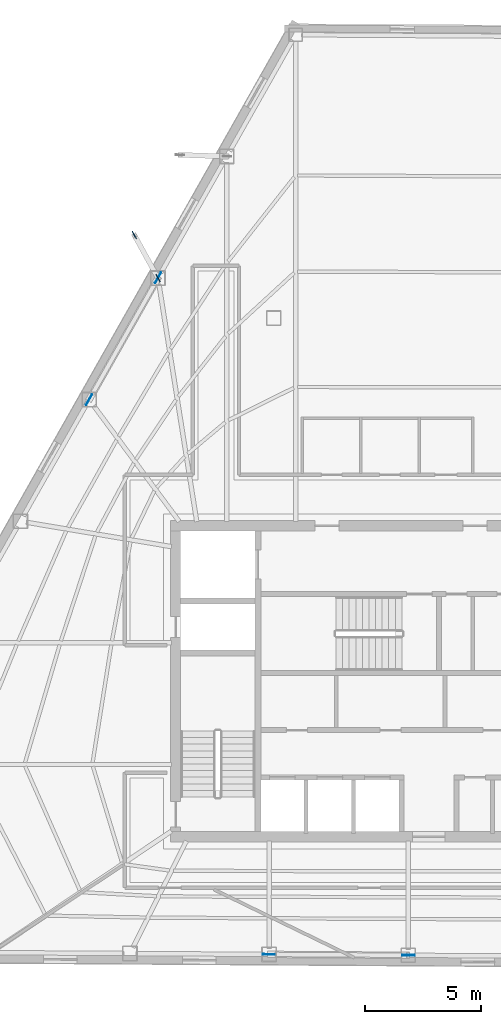
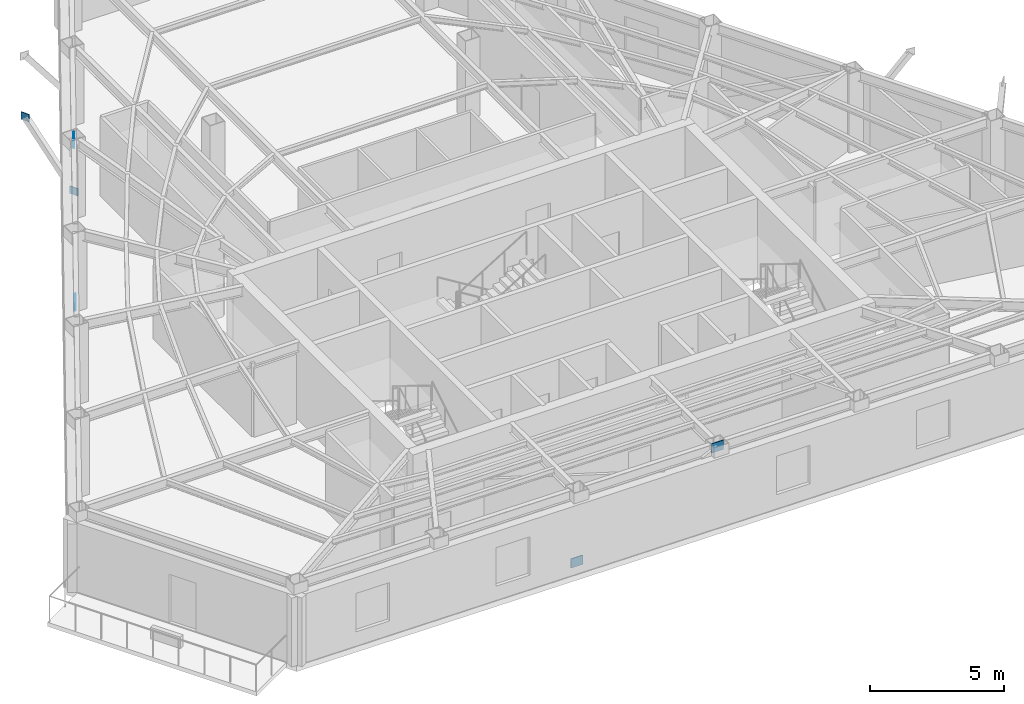
# One storey, part 4 of 11: 6 plates.
"""IFC4 building model written with IfcOpenShell, lengths in metres."""

import ifcopenshell
import ifcopenshell.guid

model = None  # the IFC model being written
_history = None  # IfcOwnerHistory: only IFC2X3 demands one
_inside = {}  # id of a spatial element -> (the spatial element, [elements in it])
_under = {}  # id of a project, library or spatial element -> (it, [spatial elements below it])
_declared = {}  # id of a project -> (the project, [libraries it declares])
_typed = {}  # id of a type object -> (the type object, [elements of that type])
_made_of = {}  # id of a material, layer set ... -> (it, [elements and type objects made of it])


def new_model(schema):
    """Start an empty IFC model of exactly this schema.

    Asked for "IFC4X3", IfcOpenShell would pick the latest addendum, in which some entities
    have other attributes; the version numbers below select the first issue.
    IFC2X3 requires an IfcOwnerHistory on every rooted entity: one is made here for all.
    """
    global model, _history
    if schema == "IFC4X3":
        model = ifcopenshell.file(schema_version=(4, 3, 0, 0))
    else:
        model = ifcopenshell.file(schema=schema)
    _inside.clear()
    _under.clear()
    _declared.clear()
    _typed.clear()
    _made_of.clear()
    _history = None
    if model.schema == "IFC2X3":
        org = make("IfcOrganization", Name="unknown")
        user = make(
            "IfcPersonAndOrganization",
            ThePerson=make("IfcPerson", FamilyName="unknown"),
            TheOrganization=org,
        )
        app = make(
            "IfcApplication",
            ApplicationDeveloper=org,
            Version="unknown",
            ApplicationFullName="unknown",
            ApplicationIdentifier="unknown",
        )
        _history = make(
            "IfcOwnerHistory",
            OwningUser=user,
            OwningApplication=app,
            ChangeAction="ADDED",
            CreationDate=0,
        )
    return model


def make(cls, **values):
    """One entity of the class cls with the attributes given. An attribute that is None is left unset."""
    return model.create_entity(
        cls, **{name: value for name, value in values.items() if value is not None}
    )


def rooted(cls, **values):
    """An entity with a GlobalId (a new one), such as an element, a storey or a relation."""
    return make(cls, GlobalId=ifcopenshell.guid.new(), OwnerHistory=_history, **values)


def si_unit(unit_type, name, prefix=None):
    """IfcSIUnit, for example si_unit("LENGTHUNIT", "METRE", prefix="MILLI")."""
    return make("IfcSIUnit", UnitType=unit_type, Prefix=prefix, Name=name)


def assignment(units):
    """IfcUnitAssignment: the units of a project."""
    return None if units is None else make("IfcUnitAssignment", Units=units)


def point(xyz):
    """IfcCartesianPoint."""
    return None if xyz is None else make("IfcCartesianPoint", Coordinates=xyz)


def direction(xyz):
    """IfcDirection."""
    return None if xyz is None else make("IfcDirection", DirectionRatios=xyz)


def frame(location, z_axis=None, x_axis=None):
    """IfcAxis2Placement3D, a coordinate frame: its origin and axes. An axis left out is left unset."""
    return make(
        "IfcAxis2Placement3D",
        Location=point(location),
        Axis=direction(z_axis),
        RefDirection=direction(x_axis),
    )


def frame_2d(location, x_axis=None):
    """IfcAxis2Placement2D, a coordinate frame in the plane: its origin and x axis."""
    return make(
        "IfcAxis2Placement2D", Location=point(location), RefDirection=direction(x_axis)
    )


def origin():
    """The frame at (0, 0, 0) with its axes left unset."""
    return frame((0.0, 0.0, 0.0))


def origin_2d():
    """The frame at (0, 0) in the plane with its x axis left unset."""
    return frame_2d((0.0, 0.0))


def place(relative_to, where):
    """IfcLocalPlacement: puts the frame where relative to a parent placement (None: the world)."""
    return make(
        "IfcLocalPlacement", PlacementRelTo=relative_to, RelativePlacement=where
    )


def context(
    kind, dimensions, precision=None, world=None, true_north=None, identifier=None
):
    """IfcGeometricRepresentationContext, for example the 3D "Model" context."""
    return make(
        "IfcGeometricRepresentationContext",
        ContextIdentifier=identifier,
        ContextType=kind,
        CoordinateSpaceDimension=dimensions,
        Precision=precision,
        WorldCoordinateSystem=world,
        TrueNorth=true_north,
    )


def subcontext(parent, identifier, kind, view, scale=None):
    """IfcGeometricRepresentationSubContext, for example "Body" below "Model"."""
    return make(
        "IfcGeometricRepresentationSubContext",
        ContextIdentifier=identifier,
        ContextType=kind,
        ParentContext=parent,
        TargetScale=scale,
        TargetView=view,
    )


def project(units=None, contexts=None):
    """IfcProject with its units and contexts."""
    return rooted(
        "IfcProject",
        Name="project",
        RepresentationContexts=contexts,
        UnitsInContext=assignment(units),
    )


def spatial(cls, under=None, at=None, **own):
    """A site, building, storey or space (cls), placed at a placement, below another one or the project."""
    s = rooted(cls, ObjectPlacement=at, **own)
    if under is not None:
        _under.setdefault(under.id(), (under, []))[1].append(s)
    return s


def profile(cls, at=None, kind="AREA", **sizes):
    """A parametric profile (cls). Its sizes go by their IFC names, for example OverallWidth=200.0."""
    return make(cls, ProfileType=kind, Position=at, **sizes)


def rectangle(**sizes):
    """IfcRectangleProfileDef."""
    return profile("IfcRectangleProfileDef", **sizes)


def extrude(swept, where, along, depth):
    """IfcExtrudedAreaSolid: the profile swept, set in the frame where, extruded along a direction by depth."""
    return make(
        "IfcExtrudedAreaSolid",
        SweptArea=swept,
        Position=where,
        ExtrudedDirection=direction(along),
        Depth=depth,
    )


def shape(context_of_items, identifier, shape_type, items):
    """IfcShapeRepresentation: the items that make up one representation, for example the "Body"."""
    return make(
        "IfcShapeRepresentation",
        ContextOfItems=context_of_items,
        RepresentationIdentifier=identifier,
        RepresentationType=shape_type,
        Items=items,
    )


def material(Name=None, Category=None):
    """IfcMaterial."""
    return make("IfcMaterial", Name=Name, Category=Category)


def layer(
    of_material, thickness, ventilated=None, Name=None, Category=None, Priority=None
):
    """IfcMaterialLayer: one layer of a wall or slab, of a material (None: an air gap)."""
    return make(
        "IfcMaterialLayer",
        Material=of_material,
        LayerThickness=thickness,
        IsVentilated=ventilated,
        Name=Name,
        Category=Category,
        Priority=Priority,
    )


def layer_set(layers, Name=None):
    """IfcMaterialLayerSet."""
    return make("IfcMaterialLayerSet", MaterialLayers=layers, LayerSetName=Name)


def made_of(thing, what):
    """Note that an element or type object is made of a material, layer set ...; save() writes the relation."""
    if what is not None:
        _made_of.setdefault(what.id(), (what, []))[1].append(thing)
    return thing


def type_object(cls, material=None, **own):
    """A type object (cls), such as IfcWallType, which elements share."""
    return made_of(rooted(cls, **own), material)


def element(
    cls,
    number,
    at=None,
    inside=None,
    cuts=None,
    type_object=None,
    material=None,
    context=None,
    identifier="Body",
    shape_type=None,
    held_by="IfcProductDefinitionShape",
    body=None,
    shapes=None,
    **own,
):
    """One element of the class cls, such as IfcWall. Its Tag is "e" and its number.

    at: its placement. inside: the storey or other place that contains it. cuts: it is an
    opening in that element (IfcRelVoidsElement). A single representation is given by context,
    identifier, shape_type and body (its items); several are given by shapes. held_by: the class
    of the entity that holds the representations. save() writes the other relations.
    """
    e = rooted(cls, Tag="e%d" % number, ObjectPlacement=at, **own)
    if body is not None:
        shapes = [shape(context, identifier, shape_type, body)]
    if shapes is not None:
        e.Representation = make(held_by, Representations=shapes)
    if inside is not None:
        _inside.setdefault(inside.id(), (inside, []))[1].append(e)
    if cuts is not None:
        rooted(
            "IfcRelVoidsElement", RelatingBuildingElement=cuts, RelatedOpeningElement=e
        )
    if type_object is not None:
        _typed.setdefault(type_object.id(), (type_object, []))[1].append(e)
    return made_of(e, material)


def aggregate(whole, parts):
    """IfcRelAggregates: a whole, such as a stair, and the parts it consists of."""
    return rooted("IfcRelAggregates", RelatingObject=whole, RelatedObjects=parts)


def save(model, path):
    """Write the relations noted so far, then the file.

    IfcRelAggregates (storeys below a building ...), IfcRelContainedInSpatialStructure (elements
    in a storey), IfcRelDefinesByType, IfcRelAssociatesMaterial and IfcRelDeclares: one each for
    every whole, place, type object, material and project.
    """
    for whole, parts in _under.values():
        aggregate(whole, parts)
    for where, things in _inside.values():
        rooted(
            "IfcRelContainedInSpatialStructure",
            RelatedElements=things,
            RelatingStructure=where,
        )
    for kind, things in _typed.values():
        rooted("IfcRelDefinesByType", RelatedObjects=things, RelatingType=kind)
    for what, things in _made_of.values():
        rooted("IfcRelAssociatesMaterial", RelatedObjects=things, RelatingMaterial=what)
    for by, libraries in _declared.values():
        rooted("IfcRelDeclares", RelatingContext=by, RelatedDefinitions=libraries)
    model.write(path)


model = new_model("IFC4")

# Units and contexts
model_context = context("Model", 3, precision=1e-05, world=origin(), true_north=direction((0.0, 1.0)))
body_context = subcontext(model_context, "Body", "Model", "MODEL_VIEW")
ifc_project = project(units=[si_unit("LENGTHUNIT", "METRE"), si_unit("AREAUNIT", "SQUARE_METRE"), si_unit("VOLUMEUNIT", "CUBIC_METRE"), si_unit("PLANEANGLEUNIT", "RADIAN"), si_unit("MASSUNIT", "GRAM", prefix="KILO")], contexts=[model_context])

# Site, building, storey
site_placement = place(None, origin())
site = spatial("IfcSite", under=ifc_project, at=site_placement, CompositionType="ELEMENT")
building_placement = place(site_placement, origin())
building = spatial("IfcBuilding", under=site, at=building_placement, Name="Kavelnor Concourse Tower", CompositionType="ELEMENT")
storey_placement = place(building_placement, frame((0.0, 0.0, 172.699951171875)))
storey = spatial("IfcBuildingStorey", under=building, at=storey_placement, Name="L43", CompositionType="ELEMENT", Elevation=172.699951171875)

# Plates
ifc_material = material(Name="Steel Grade 350", Category="steel")
ifc_layer_1 = layer(ifc_material, 0.028076171875, Name="Steel Grade 350")
ifc_layer_set_1 = layer_set([ifc_layer_1], Name="Steel Grade 350")
plate_type_1 = type_object("IfcPlateType", Name="PL-GUSSET-FOLD", PredefinedType="USERDEFINED", material=ifc_layer_set_1)
for number, where, z_axis, x_axis, name in (
    (1, (27.502197265625, 33.51904296875, 0.8798828125), (0.0, 0.0, 1.0), (-0.482671075992, 0.875801708379, 0.0), "L43 Balcony Strut Gusset GP4 2-B End Gusset A"),
    (2, (26.475341796875, 35.382568359375, 3.48486328125), (0.0, 0.0, 1.0), (-0.482671075992, 0.875801708379, 0.0), "L43 Balcony Strut Gusset GP4 2-B End Gusset B"),
):
    element("IfcPlate", number, at=place(storey_placement, frame(where, z_axis=z_axis, x_axis=x_axis)), inside=storey, type_object=plate_type_1, Name=name, ObjectType="GUSSET_PLATE", PredefinedType="USERDEFINED", context=body_context, shape_type="SweptSolid", body=[
        extrude(rectangle(XDim=0.360107421875, YDim=0.028076171875, at=origin_2d()), origin(), (0.0, 0.0, 1.0), 0.340087890625),
    ])
ifc_layer_2 = layer(ifc_material, 0.031982421875, Name="Steel Grade 350")
ifc_layer_set_2 = layer_set([ifc_layer_2], Name="Steel Grade 350")
plate_type_2 = type_object("IfcPlateType", Name="PL-GUSSET-TUBE-Z1", PredefinedType="USERDEFINED", material=ifc_layer_set_2)
for number, where, z_axis, x_axis, name in (
    (3, (24.516357421875, 28.262451171875, 0.010009765625), (0.0, 0.0, 1.0), (0.492423560103, 0.87035569594, 0.0), "L43 Tube Brace Gusset GP3 F0-B2 End Gusset A"),
    (4, (27.50244140625, 33.539794921875, 3.16015625), (0.0, 0.0, 1.0), (0.492423560103, 0.87035569594, 0.0), "L43 Tube Brace Gusset GP3 F0-B2 End Gusset B"),
    (5, (32.285400390625, 4.2958984375, 0.010009765625), (0.0, 0.0, 1.0), (0.99997914901, -0.006457673349, 0.0), "L43 Tube Brace Gusset GP3 F1-B2 End Gusset A"),
    (6, (38.32373046875, 4.25732421875, 3.16015625), (0.0, 0.0, 1.0), (0.99997914901, -0.006457673349, 0.0), "L43 Tube Brace Gusset GP3 F1-B2 End Gusset B"),
):
    element("IfcPlate", number, at=place(storey_placement, frame(where, z_axis=z_axis, x_axis=x_axis)), inside=storey, type_object=plate_type_2, Name=name, ObjectType="GUSSET_PLATE", PredefinedType="USERDEFINED", context=body_context, shape_type="SweptSolid", body=[
        extrude(rectangle(XDim=0.52001953125, YDim=0.031982421875, at=origin_2d()), origin(), (0.0, 0.0, 1.0), 0.419921875),
    ])

save(model, "model.ifc")
